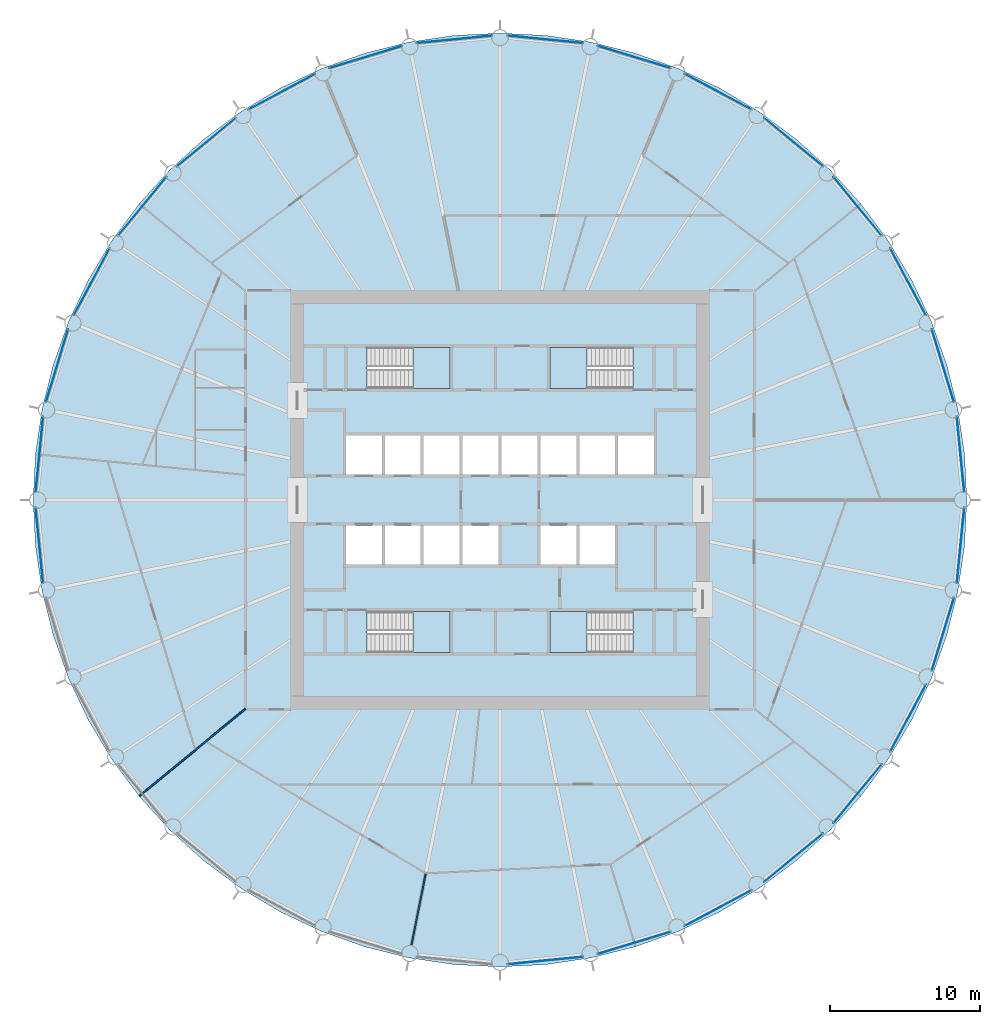
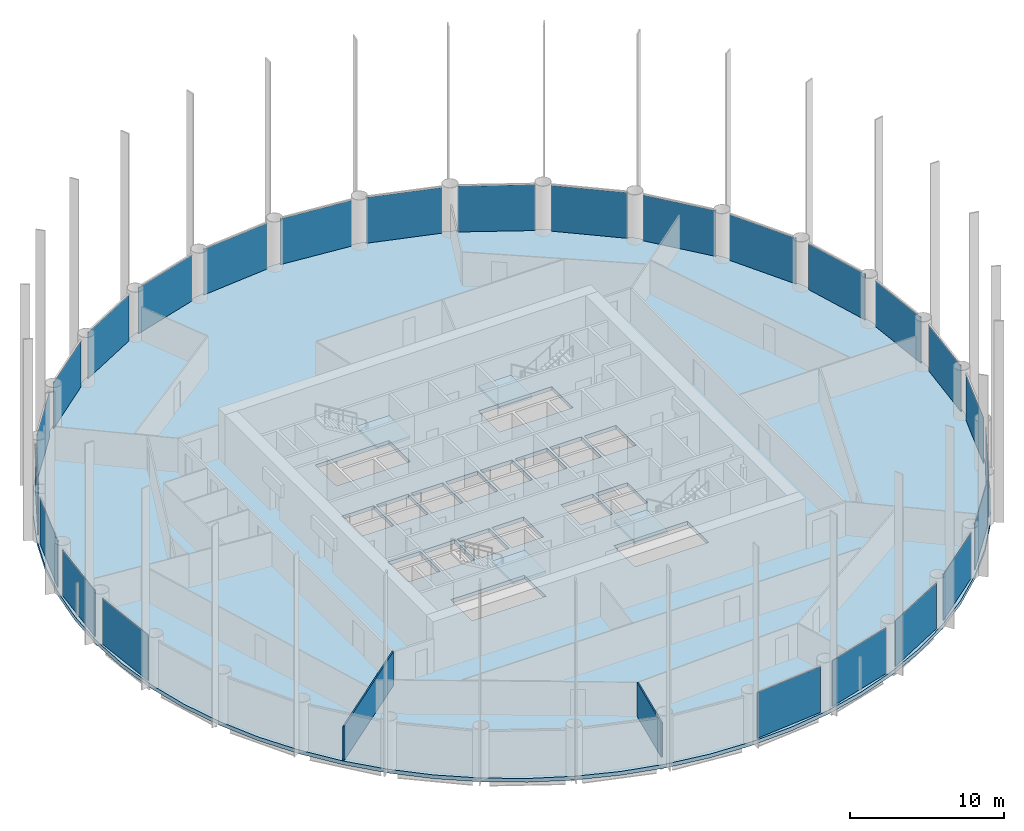
# One storey, part 3 of 9: 25 plates, 5 slabs, 2 walls, 29 elements without a shape of their own.
"""IFC4 building model written with IfcOpenShell, lengths in metres."""

from ifc_helpers import new_model, si_unit, direction, frame, frame_2d, origin, origin_2d, place, context, subcontext, project, spatial, polyline, rectangle, outline, extrude, material, layer, layer_set, type_object, element, aggregate, save


model = new_model("IFC4")

# Units and contexts
model_context = context("Model", 3, precision=1e-05, world=origin(), true_north=direction((0.0, 1.0)))
body_context = subcontext(model_context, "Body", "Model", "MODEL_VIEW")
ifc_project = project(units=[si_unit("LENGTHUNIT", "METRE"), si_unit("AREAUNIT", "SQUARE_METRE"), si_unit("VOLUMEUNIT", "CUBIC_METRE"), si_unit("PLANEANGLEUNIT", "RADIAN"), si_unit("MASSUNIT", "GRAM", prefix="KILO")], contexts=[model_context])

# Site, building, storey
site_placement = place(None, origin())
site = spatial("IfcSite", under=ifc_project, at=site_placement, CompositionType="ELEMENT")
building_placement = place(site_placement, origin())
building = spatial("IfcBuilding", under=site, at=building_placement, Name="Corvane Civic Tower", CompositionType="ELEMENT")
storey_placement = place(building_placement, frame((0.0, 0.0, 160.0)))
storey = spatial("IfcBuildingStorey", under=building, at=storey_placement, Name="L37", CompositionType="ELEMENT", Elevation=160.0)

# Slab
ifc_material_1 = material(Name="Concrete C40/50", Category="concrete")
ifc_layer_1 = layer(ifc_material_1, 0.300048828125)
ifc_layer_set_1 = layer_set([ifc_layer_1], Name="Concrete C40/50")
slab_type_1 = type_object("IfcSlabType", Name="FLOOR SLAB 300", PredefinedType="FLOOR", material=ifc_layer_set_1)
slab_1_placement = place(storey_placement, frame((0.0, 0.0, -0.300048828125)))
element("IfcSlab", 1, at=slab_1_placement, inside=storey, type_object=slab_type_1, Name="SLB-L37", PredefinedType="FLOOR", context=body_context, shape_type="SweptSolid", body=[
    extrude(outline(polyline([(0.0, 31.199951171875), (-3.05810546875, 31.0498046875), (-6.0869140625, 30.6005859375), (-9.056884765625, 29.8564453125), (-11.939697265625, 28.824951171875), (-14.70751953125, 27.515869140625), (-17.333740234375, 25.94189453125), (-19.79296875, 24.117919921875), (-22.061767578125, 22.061767578125), (-24.117919921875, 19.79296875), (-25.94189453125, 17.333740234375), (-27.515869140625, 14.70751953125), (-28.824951171875, 11.939697265625), (-29.8564453125, 9.056884765625), (-30.6005859375, 6.0869140625), (-31.0498046875, 3.05810546875), (-31.199951171875, 0.0), (-31.0498046875, -3.05810546875), (-30.6005859375, -6.0869140625), (-29.8564453125, -9.056884765625), (-28.824951171875, -11.939697265625), (-27.515869140625, -14.70751953125), (-25.94189453125, -17.333740234375), (-24.117919921875, -19.79296875), (-22.061767578125, -22.061767578125), (-19.79296875, -24.117919921875), (-17.333740234375, -25.94189453125), (-14.70751953125, -27.515869140625), (-11.939697265625, -28.824951171875), (-9.056884765625, -29.8564453125), (-6.0869140625, -30.6005859375), (-3.05810546875, -31.0498046875), (0.0, -31.199951171875), (3.05810546875, -31.0498046875), (6.0869140625, -30.6005859375), (9.056884765625, -29.8564453125), (11.939697265625, -28.824951171875), (14.70751953125, -27.515869140625), (17.333740234375, -25.94189453125), (19.79296875, -24.117919921875), (22.061767578125, -22.061767578125), (24.117919921875, -19.79296875), (25.94189453125, -17.333740234375), (27.515869140625, -14.70751953125), (28.824951171875, -11.939697265625), (29.8564453125, -9.056884765625), (30.6005859375, -6.0869140625), (31.0498046875, -3.05810546875), (31.199951171875, 0.0), (31.0498046875, 3.05810546875), (30.6005859375, 6.0869140625), (29.8564453125, 9.056884765625), (28.824951171875, 11.939697265625), (27.515869140625, 14.70751953125), (25.94189453125, 17.333740234375), (24.117919921875, 19.79296875), (22.061767578125, 22.061767578125), (19.79296875, 24.117919921875), (17.333740234375, 25.94189453125), (14.70751953125, 27.515869140625), (11.939697265625, 28.824951171875), (9.056884765625, 29.8564453125), (6.0869140625, 30.6005859375), (3.05810546875, 31.0498046875), (0.0, 31.199951171875)]), holes=[polyline([(-7.89990234375, 1.699951171875), (-10.300048828125, 1.699951171875), (-10.300048828125, 4.300048828125), (-7.89990234375, 4.300048828125), (-7.89990234375, 1.699951171875)]), polyline([(-7.699951171875, 4.300048828125), (-5.300048828125, 4.300048828125), (-5.300048828125, 1.699951171875), (-7.699951171875, 1.699951171875), (-7.699951171875, 4.300048828125)]), polyline([(-5.10009765625, 4.300048828125), (-2.699951171875, 4.300048828125), (-2.699951171875, 1.699951171875), (-5.10009765625, 1.699951171875), (-5.10009765625, 4.300048828125)]), polyline([(-2.5, 4.300048828125), (-0.10009765625, 4.300048828125), (-0.10009765625, 1.699951171875), (-2.5, 1.699951171875), (-2.5, 4.300048828125)]), polyline([(2.5, 1.699951171875), (0.10009765625, 1.699951171875), (0.10009765625, 4.300048828125), (2.5, 4.300048828125), (2.5, 1.699951171875)]), polyline([(5.10009765625, 1.699951171875), (2.699951171875, 1.699951171875), (2.699951171875, 4.300048828125), (5.10009765625, 4.300048828125), (5.10009765625, 1.699951171875)]), polyline([(5.300048828125, 4.300048828125), (7.699951171875, 4.300048828125), (7.699951171875, 1.699951171875), (5.300048828125, 1.699951171875), (5.300048828125, 4.300048828125)]), polyline([(7.89990234375, 4.300048828125), (10.300048828125, 4.300048828125), (10.300048828125, 1.699951171875), (7.89990234375, 1.699951171875), (7.89990234375, 4.300048828125)]), polyline([(-10.300048828125, -1.699951171875), (-7.89990234375, -1.699951171875), (-7.89990234375, -4.300048828125), (-10.300048828125, -4.300048828125), (-10.300048828125, -1.699951171875)]), polyline([(-7.699951171875, -1.699951171875), (-5.300048828125, -1.699951171875), (-5.300048828125, -4.300048828125), (-7.699951171875, -4.300048828125), (-7.699951171875, -1.699951171875)]), polyline([(-5.10009765625, -1.699951171875), (-2.699951171875, -1.699951171875), (-2.699951171875, -4.300048828125), (-5.10009765625, -4.300048828125), (-5.10009765625, -1.699951171875)]), polyline([(-2.5, -1.699951171875), (-0.10009765625, -1.699951171875), (-0.10009765625, -4.300048828125), (-2.5, -4.300048828125), (-2.5, -1.699951171875)]), polyline([(2.699951171875, -1.699951171875), (5.10009765625, -1.699951171875), (5.10009765625, -4.300048828125), (2.699951171875, -4.300048828125), (2.699951171875, -1.699951171875)]), polyline([(5.300048828125, -1.699951171875), (7.699951171875, -1.699951171875), (7.699951171875, -4.300048828125), (5.300048828125, -4.300048828125), (5.300048828125, -1.699951171875)]), polyline([(8.889892578125, 10.199951171875), (8.889892578125, 7.449951171875), (3.35009765625, 7.449951171875), (3.35009765625, 10.199951171875), (8.889892578125, 10.199951171875)]), polyline([(-8.889892578125, 7.449951171875), (-8.889892578125, 10.199951171875), (-3.35009765625, 10.199951171875), (-3.35009765625, 7.449951171875), (-8.889892578125, 7.449951171875)]), polyline([(8.889892578125, -7.449951171875), (8.889892578125, -10.199951171875), (3.35009765625, -10.199951171875), (3.35009765625, -7.449951171875), (8.889892578125, -7.449951171875)]), polyline([(-8.889892578125, -10.199951171875), (-8.889892578125, -7.449951171875), (-3.35009765625, -7.449951171875), (-3.35009765625, -10.199951171875), (-8.889892578125, -10.199951171875)])]), origin(), (0.0, 0.0, 1.0), 0.300048828125),
])

# Stair, slab
ifc_material_2 = material(Name="Concrete C40/50", Category="concrete")
stair_type = type_object("IfcStairType", Name="ST-STAIR-HALFTURN", PredefinedType="HALF_TURN_STAIR", material=ifc_material_2)
stair_1_placement = place(storey_placement, origin())
stair_1 = element("IfcStair", 2, at=stair_1_placement, inside=storey, type_object=stair_type, Name="L37 Exit stair ST1", PredefinedType="HALF_TURN_STAIR")
ifc_material_3 = material(Name="Concrete C40/50", Category="concrete")
ifc_layer_2 = layer(ifc_material_3, 0.199951171875)
ifc_layer_set_2 = layer_set([ifc_layer_2], Name="Concrete C40/50")
slab_type_2 = type_object("IfcSlabType", Name="ST-LANDING-RC", PredefinedType="LANDING", material=ifc_layer_set_2)
slab_2_placement = place(storey_placement, frame((0.0, 0.0, 1.800048828125)))
slab_2 = element("IfcSlab", 3, at=slab_2_placement, type_object=slab_type_2, Name="ST1 landing 1", PredefinedType="LANDING", context=body_context, shape_type="SweptSolid", body=[
    extrude(outline(polyline([(5.820068359375, 10.199951171875), (3.35009765625, 10.199951171875), (3.35009765625, 7.449951171875), (5.820068359375, 7.449951171875), (5.820068359375, 10.199951171875)])), origin(), (0.0, 0.0, 1.0), 0.199951171875),
])
aggregate(stair_1, [slab_2])

stair_2_placement = place(storey_placement, origin())
stair_2 = element("IfcStair", 4, at=stair_2_placement, inside=storey, type_object=stair_type, Name="L37 Exit stair ST2", PredefinedType="HALF_TURN_STAIR")
slab_3_placement = place(storey_placement, frame((0.0, 0.0, 1.800048828125)))
slab_3 = element("IfcSlab", 5, at=slab_3_placement, type_object=slab_type_2, Name="ST2 landing 1", PredefinedType="LANDING", context=body_context, shape_type="SweptSolid", body=[
    extrude(outline(polyline([(5.820068359375, -7.449951171875), (3.35009765625, -7.449951171875), (3.35009765625, -10.199951171875), (5.820068359375, -10.199951171875), (5.820068359375, -7.449951171875)])), origin(), (0.0, 0.0, 1.0), 0.199951171875),
])
aggregate(stair_2, [slab_3])

stair_3_placement = place(storey_placement, origin())
stair_3 = element("IfcStair", 6, at=stair_3_placement, inside=storey, type_object=stair_type, Name="L37 Exit stair ST3", PredefinedType="HALF_TURN_STAIR")
slab_4_placement = place(storey_placement, frame((0.0, 0.0, 1.800048828125)))
slab_4 = element("IfcSlab", 7, at=slab_4_placement, type_object=slab_type_2, Name="ST3 landing 1", PredefinedType="LANDING", context=body_context, shape_type="SweptSolid", body=[
    extrude(outline(polyline([(-5.820068359375, -10.199951171875), (-3.35009765625, -10.199951171875), (-3.35009765625, -7.449951171875), (-5.820068359375, -7.449951171875), (-5.820068359375, -10.199951171875)])), origin(), (0.0, 0.0, 1.0), 0.199951171875),
])
aggregate(stair_3, [slab_4])

stair_4_placement = place(storey_placement, origin())
stair_4 = element("IfcStair", 8, at=stair_4_placement, inside=storey, type_object=stair_type, Name="L37 Exit stair ST4", PredefinedType="HALF_TURN_STAIR")
slab_5_placement = place(storey_placement, frame((0.0, 0.0, 1.800048828125)))
slab_5 = element("IfcSlab", 9, at=slab_5_placement, type_object=slab_type_2, Name="ST4 landing 1", PredefinedType="LANDING", context=body_context, shape_type="SweptSolid", body=[
    extrude(outline(polyline([(-5.820068359375, 7.449951171875), (-3.35009765625, 7.449951171875), (-3.35009765625, 10.199951171875), (-5.820068359375, 10.199951171875), (-5.820068359375, 7.449951171875)])), origin(), (0.0, 0.0, 1.0), 0.199951171875),
])
aggregate(stair_4, [slab_5])

# Curtain wall, plate
ifc_material_4 = material(Name="Anodised aluminium bronze", Category="aluminium")
curtain_wall_type = type_object("IfcCurtainWallType", Name="TOWER CW-T2 STICK CURTAIN WALL", PredefinedType="NOTDEFINED", material=ifc_material_4)
curtain_wall_1_placement = place(storey_placement, origin())
curtain_wall_1 = element("IfcCurtainWall", 10, at=curtain_wall_1_placement, inside=storey, type_object=curtain_wall_type, Name="Curtain wall CW-T2 L37 bay 01", PredefinedType="NOTDEFINED")
ifc_material_5 = material(Name="Tinted glass", Category="glass")
ifc_layer_3 = layer(ifc_material_5, 0.031982421875)
ifc_layer_set_3 = layer_set([ifc_layer_3], Name="Tinted glass")
plate_type = type_object("IfcPlateType", Name="TOWER CW-T2 PANEL IGU32", PredefinedType="CURTAIN_PANEL", material=ifc_layer_set_3)
plate_1_placement = place(storey_placement, frame((3.03173828125, 30.781494140625, 0.0), z_axis=(0.0, 0.0, 1.0), x_axis=(0.995185244531, -0.098011882274, 0.0)))
plate_1 = element("IfcPlate", 11, at=plate_1_placement, type_object=plate_type, Name="Glass panel CW-T2 L37 01.1", PredefinedType="CURTAIN_PANEL", context=body_context, shape_type="SweptSolid", body=[
    extrude(rectangle(XDim=5.07763671875, YDim=0.031982421875, at=origin_2d()), origin(), (0.0, 0.0, 1.0), 3.6298828125),
])
aggregate(curtain_wall_1, [plate_1])

curtain_wall_2_placement = place(storey_placement, origin())
curtain_wall_2 = element("IfcCurtainWall", 12, at=curtain_wall_2_placement, inside=storey, type_object=curtain_wall_type, Name="Curtain wall CW-T2 L37 bay 02", PredefinedType="NOTDEFINED")
plate_2_placement = place(storey_placement, frame((8.978515625, 29.5986328125, 0.0), z_axis=(0.0, 0.0, 1.0), x_axis=(0.956931677007, -0.290313219714, 0.0)))
plate_2 = element("IfcPlate", 13, at=plate_2_placement, type_object=plate_type, Name="Glass panel CW-T2 L37 02.1", PredefinedType="CURTAIN_PANEL", context=body_context, shape_type="SweptSolid", body=[
    extrude(rectangle(XDim=5.077392578125, YDim=0.031982421875, at=origin_2d()), origin(), (0.0, 0.0, 1.0), 3.6298828125),
])
aggregate(curtain_wall_2, [plate_2])

curtain_wall_3_placement = place(storey_placement, origin())
curtain_wall_3 = element("IfcCurtainWall", 14, at=curtain_wall_3_placement, inside=storey, type_object=curtain_wall_type, Name="Curtain wall CW-T2 L37 bay 03", PredefinedType="NOTDEFINED")
plate_3_placement = place(storey_placement, frame((14.58056640625, 27.278076171875, 0.0), z_axis=(0.0, 0.0, 1.0), x_axis=(0.881922190434, -0.471395004238, 0.0)))
plate_3 = element("IfcPlate", 15, at=plate_3_placement, type_object=plate_type, Name="Glass panel CW-T2 L37 03.1", PredefinedType="CURTAIN_PANEL", context=body_context, shape_type="SweptSolid", body=[
    extrude(rectangle(XDim=5.077392578125, YDim=0.031982421875, at=origin_2d()), origin(), (0.0, 0.0, 1.0), 3.6298828125),
])
aggregate(curtain_wall_3, [plate_3])

curtain_wall_4_placement = place(storey_placement, origin())
curtain_wall_4 = element("IfcCurtainWall", 16, at=curtain_wall_4_placement, inside=storey, type_object=curtain_wall_type, Name="Curtain wall CW-T2 L37 bay 04", PredefinedType="NOTDEFINED")
plate_4_placement = place(storey_placement, frame((19.6220703125, 23.909423828125, 0.0), z_axis=(0.0, 0.0, 1.0), x_axis=(0.773004844196, -0.634400118891, 0.0)))
plate_4 = element("IfcPlate", 17, at=plate_4_placement, type_object=plate_type, Name="Glass panel CW-T2 L37 04.1", PredefinedType="CURTAIN_PANEL", context=body_context, shape_type="SweptSolid", body=[
    extrude(rectangle(XDim=5.0771484375, YDim=0.031982421875, at=origin_2d()), origin(), (0.0, 0.0, 1.0), 3.6298828125),
])
aggregate(curtain_wall_4, [plate_4])

curtain_wall_5_placement = place(storey_placement, origin())
curtain_wall_5 = element("IfcCurtainWall", 18, at=curtain_wall_5_placement, inside=storey, type_object=curtain_wall_type, Name="Curtain wall CW-T2 L37 bay 05", PredefinedType="NOTDEFINED")
plate_5_placement = place(storey_placement, frame((23.909423828125, 19.6220703125, 0.0), z_axis=(0.0, 0.0, 1.0), x_axis=(0.634400118891, -0.773004844196, 0.0)))
plate_5 = element("IfcPlate", 19, at=plate_5_placement, type_object=plate_type, Name="Glass panel CW-T2 L37 05.1", PredefinedType="CURTAIN_PANEL", context=body_context, shape_type="SweptSolid", body=[
    extrude(rectangle(XDim=5.0771484375, YDim=0.031982421875, at=origin_2d()), origin(), (0.0, 0.0, 1.0), 3.6298828125),
])
aggregate(curtain_wall_5, [plate_5])

curtain_wall_6_placement = place(storey_placement, origin())
curtain_wall_6 = element("IfcCurtainWall", 20, at=curtain_wall_6_placement, inside=storey, type_object=curtain_wall_type, Name="Curtain wall CW-T2 L37 bay 06", PredefinedType="NOTDEFINED")
plate_6_placement = place(storey_placement, frame((27.278076171875, 14.58056640625, 0.0), z_axis=(0.0, 0.0, 1.0), x_axis=(0.471395004238, -0.881922190434, 0.0)))
plate_6 = element("IfcPlate", 21, at=plate_6_placement, type_object=plate_type, Name="Glass panel CW-T2 L37 06.1", PredefinedType="CURTAIN_PANEL", context=body_context, shape_type="SweptSolid", body=[
    extrude(rectangle(XDim=5.077392578125, YDim=0.031982421875, at=origin_2d()), origin(), (0.0, 0.0, 1.0), 3.6298828125),
])
aggregate(curtain_wall_6, [plate_6])

curtain_wall_7_placement = place(storey_placement, origin())
curtain_wall_7 = element("IfcCurtainWall", 22, at=curtain_wall_7_placement, inside=storey, type_object=curtain_wall_type, Name="Curtain wall CW-T2 L37 bay 07", PredefinedType="NOTDEFINED")
plate_7_placement = place(storey_placement, frame((29.5986328125, 8.978515625, 0.0), z_axis=(0.0, 0.0, 1.0), x_axis=(0.290313219714, -0.956931677007, 0.0)))
plate_7 = element("IfcPlate", 23, at=plate_7_placement, type_object=plate_type, Name="Glass panel CW-T2 L37 07.1", PredefinedType="CURTAIN_PANEL", context=body_context, shape_type="SweptSolid", body=[
    extrude(rectangle(XDim=5.077392578125, YDim=0.031982421875, at=origin_2d()), origin(), (0.0, 0.0, 1.0), 3.6298828125),
])
aggregate(curtain_wall_7, [plate_7])

curtain_wall_8_placement = place(storey_placement, origin())
curtain_wall_8 = element("IfcCurtainWall", 24, at=curtain_wall_8_placement, inside=storey, type_object=curtain_wall_type, Name="Curtain wall CW-T2 L37 bay 08", PredefinedType="NOTDEFINED")
plate_8_placement = place(storey_placement, frame((30.781494140625, 3.03173828125, 0.0), z_axis=(0.0, 0.0, 1.0), x_axis=(0.098011882274, -0.995185244531, 0.0)))
plate_8 = element("IfcPlate", 25, at=plate_8_placement, type_object=plate_type, Name="Glass panel CW-T2 L37 08.1", PredefinedType="CURTAIN_PANEL", context=body_context, shape_type="SweptSolid", body=[
    extrude(rectangle(XDim=5.07763671875, YDim=0.031982421875, at=origin_2d()), origin(), (0.0, 0.0, 1.0), 3.6298828125),
])
aggregate(curtain_wall_8, [plate_8])

curtain_wall_9_placement = place(storey_placement, origin())
curtain_wall_9 = element("IfcCurtainWall", 26, at=curtain_wall_9_placement, inside=storey, type_object=curtain_wall_type, Name="Curtain wall CW-T2 L37 bay 09", PredefinedType="NOTDEFINED")
plate_9_placement = place(storey_placement, frame((30.781494140625, -3.03173828125, 0.0), z_axis=(0.0, 0.0, 1.0), x_axis=(-0.098011882274, -0.995185244531, 0.0)))
plate_9 = element("IfcPlate", 27, at=plate_9_placement, type_object=plate_type, Name="Glass panel CW-T2 L37 09.1", PredefinedType="CURTAIN_PANEL", context=body_context, shape_type="SweptSolid", body=[
    extrude(rectangle(XDim=5.07763671875, YDim=0.031982421875, at=origin_2d()), origin(), (0.0, 0.0, 1.0), 3.6298828125),
])
aggregate(curtain_wall_9, [plate_9])

curtain_wall_10_placement = place(storey_placement, origin())
curtain_wall_10 = element("IfcCurtainWall", 28, at=curtain_wall_10_placement, inside=storey, type_object=curtain_wall_type, Name="Curtain wall CW-T2 L37 bay 10", PredefinedType="NOTDEFINED")
plate_10_placement = place(storey_placement, frame((29.5986328125, -8.978515625, 0.0), z_axis=(0.0, 0.0, 1.0), x_axis=(-0.290313219714, -0.956931677007, 0.0)))
plate_10 = element("IfcPlate", 29, at=plate_10_placement, type_object=plate_type, Name="Glass panel CW-T2 L37 10.1", PredefinedType="CURTAIN_PANEL", context=body_context, shape_type="SweptSolid", body=[
    extrude(rectangle(XDim=5.077392578125, YDim=0.031982421875, at=origin_2d()), origin(), (0.0, 0.0, 1.0), 3.6298828125),
])
aggregate(curtain_wall_10, [plate_10])

curtain_wall_11_placement = place(storey_placement, origin())
curtain_wall_11 = element("IfcCurtainWall", 30, at=curtain_wall_11_placement, inside=storey, type_object=curtain_wall_type, Name="Curtain wall CW-T2 L37 bay 11", PredefinedType="NOTDEFINED")
plate_11_placement = place(storey_placement, frame((27.278076171875, -14.58056640625, 0.0), z_axis=(0.0, 0.0, 1.0), x_axis=(-0.471395004238, -0.881922190434, 0.0)))
plate_11 = element("IfcPlate", 31, at=plate_11_placement, type_object=plate_type, Name="Glass panel CW-T2 L37 11.1", PredefinedType="CURTAIN_PANEL", context=body_context, shape_type="SweptSolid", body=[
    extrude(rectangle(XDim=5.077392578125, YDim=0.031982421875, at=origin_2d()), origin(), (0.0, 0.0, 1.0), 3.6298828125),
])
aggregate(curtain_wall_11, [plate_11])

curtain_wall_12_placement = place(storey_placement, origin())
curtain_wall_12 = element("IfcCurtainWall", 32, at=curtain_wall_12_placement, inside=storey, type_object=curtain_wall_type, Name="Curtain wall CW-T2 L37 bay 12", PredefinedType="NOTDEFINED")
plate_12_placement = place(storey_placement, frame((23.909423828125, -19.6220703125, 0.0), z_axis=(0.0, 0.0, 1.0), x_axis=(-0.634400118891, -0.773004844196, 0.0)))
plate_12 = element("IfcPlate", 33, at=plate_12_placement, type_object=plate_type, Name="Glass panel CW-T2 L37 12.1", PredefinedType="CURTAIN_PANEL", context=body_context, shape_type="SweptSolid", body=[
    extrude(rectangle(XDim=5.0771484375, YDim=0.031982421875, at=origin_2d()), origin(), (0.0, 0.0, 1.0), 3.6298828125),
])
aggregate(curtain_wall_12, [plate_12])

curtain_wall_13_placement = place(storey_placement, origin())
curtain_wall_13 = element("IfcCurtainWall", 34, at=curtain_wall_13_placement, inside=storey, type_object=curtain_wall_type, Name="Curtain wall CW-T2 L37 bay 13", PredefinedType="NOTDEFINED")
plate_13_placement = place(storey_placement, frame((19.6220703125, -23.909423828125, 0.0), z_axis=(0.0, 0.0, 1.0), x_axis=(-0.773004844196, -0.634400118891, 0.0)))
plate_13 = element("IfcPlate", 35, at=plate_13_placement, type_object=plate_type, Name="Glass panel CW-T2 L37 13.1", PredefinedType="CURTAIN_PANEL", context=body_context, shape_type="SweptSolid", body=[
    extrude(rectangle(XDim=5.0771484375, YDim=0.031982421875, at=origin_2d()), origin(), (0.0, 0.0, 1.0), 3.6298828125),
])
aggregate(curtain_wall_13, [plate_13])

curtain_wall_14_placement = place(storey_placement, origin())
curtain_wall_14 = element("IfcCurtainWall", 36, at=curtain_wall_14_placement, inside=storey, type_object=curtain_wall_type, Name="Curtain wall CW-T2 L37 bay 14", PredefinedType="NOTDEFINED")
plate_14_placement = place(storey_placement, frame((14.58056640625, -27.278076171875, 0.0), z_axis=(0.0, 0.0, 1.0), x_axis=(-0.881922190434, -0.471395004238, 0.0)))
plate_14 = element("IfcPlate", 37, at=plate_14_placement, type_object=plate_type, Name="Glass panel CW-T2 L37 14.1", PredefinedType="CURTAIN_PANEL", context=body_context, shape_type="SweptSolid", body=[
    extrude(rectangle(XDim=5.077392578125, YDim=0.031982421875, at=origin_2d()), origin(), (0.0, 0.0, 1.0), 3.6298828125),
])
aggregate(curtain_wall_14, [plate_14])

curtain_wall_15_placement = place(storey_placement, origin())
curtain_wall_15 = element("IfcCurtainWall", 38, at=curtain_wall_15_placement, inside=storey, type_object=curtain_wall_type, Name="Curtain wall CW-T2 L37 bay 15", PredefinedType="NOTDEFINED")
plate_15_placement = place(storey_placement, frame((8.978515625, -29.5986328125, 0.0), z_axis=(0.0, 0.0, 1.0), x_axis=(-0.956931677007, -0.290313219714, 0.0)))
plate_15 = element("IfcPlate", 39, at=plate_15_placement, type_object=plate_type, Name="Glass panel CW-T2 L37 15.1", PredefinedType="CURTAIN_PANEL", context=body_context, shape_type="SweptSolid", body=[
    extrude(rectangle(XDim=5.077392578125, YDim=0.031982421875, at=origin_2d()), origin(), (0.0, 0.0, 1.0), 3.6298828125),
])
aggregate(curtain_wall_15, [plate_15])

curtain_wall_16_placement = place(storey_placement, origin())
curtain_wall_16 = element("IfcCurtainWall", 40, at=curtain_wall_16_placement, inside=storey, type_object=curtain_wall_type, Name="Curtain wall CW-T2 L37 bay 16", PredefinedType="NOTDEFINED")
plate_16_placement = place(storey_placement, frame((3.03173828125, -30.781494140625, 0.0), z_axis=(0.0, 0.0, 1.0), x_axis=(-0.995185244531, -0.098011882274, 0.0)))
plate_16 = element("IfcPlate", 41, at=plate_16_placement, type_object=plate_type, Name="Glass panel CW-T2 L37 16.1", PredefinedType="CURTAIN_PANEL", context=body_context, shape_type="SweptSolid", body=[
    extrude(rectangle(XDim=5.07763671875, YDim=0.031982421875, at=origin_2d()), origin(), (0.0, 0.0, 1.0), 3.6298828125),
])
aggregate(curtain_wall_16, [plate_16])

curtain_wall_17_placement = place(storey_placement, origin())
curtain_wall_17 = element("IfcCurtainWall", 42, at=curtain_wall_17_placement, inside=storey, type_object=curtain_wall_type, Name="Curtain wall CW-T2 L37 bay 24", PredefinedType="NOTDEFINED")
plate_17_placement = place(storey_placement, frame((-30.781494140625, -3.03173828125, 0.0), z_axis=(0.0, 0.0, 1.0), x_axis=(-0.098011882274, 0.995185244531, 0.0)))
plate_17 = element("IfcPlate", 43, at=plate_17_placement, type_object=plate_type, Name="Glass panel CW-T2 L37 24.1", PredefinedType="CURTAIN_PANEL", context=body_context, shape_type="SweptSolid", body=[
    extrude(rectangle(XDim=5.07763671875, YDim=0.031982421875, at=origin_2d()), origin(), (0.0, 0.0, 1.0), 3.6298828125),
])
aggregate(curtain_wall_17, [plate_17])

curtain_wall_18_placement = place(storey_placement, origin())
curtain_wall_18 = element("IfcCurtainWall", 44, at=curtain_wall_18_placement, inside=storey, type_object=curtain_wall_type, Name="Curtain wall CW-T2 L37 bay 25", PredefinedType="NOTDEFINED")
plate_18_placement = place(storey_placement, frame((-30.781494140625, 3.03173828125, 0.0), z_axis=(0.0, 0.0, 1.0), x_axis=(0.098011882274, 0.995185244531, 0.0)))
plate_18 = element("IfcPlate", 45, at=plate_18_placement, type_object=plate_type, Name="Glass panel CW-T2 L37 25.1", PredefinedType="CURTAIN_PANEL", context=body_context, shape_type="SweptSolid", body=[
    extrude(rectangle(XDim=5.07763671875, YDim=0.031982421875, at=origin_2d()), origin(), (0.0, 0.0, 1.0), 3.6298828125),
])
aggregate(curtain_wall_18, [plate_18])

curtain_wall_19_placement = place(storey_placement, origin())
curtain_wall_19 = element("IfcCurtainWall", 46, at=curtain_wall_19_placement, inside=storey, type_object=curtain_wall_type, Name="Curtain wall CW-T2 L37 bay 26", PredefinedType="NOTDEFINED")
plate_19_placement = place(storey_placement, frame((-29.5986328125, 8.978515625, 0.0), z_axis=(0.0, 0.0, 1.0), x_axis=(0.290313219714, 0.956931677007, 0.0)))
plate_19 = element("IfcPlate", 47, at=plate_19_placement, type_object=plate_type, Name="Glass panel CW-T2 L37 26.1", PredefinedType="CURTAIN_PANEL", context=body_context, shape_type="SweptSolid", body=[
    extrude(rectangle(XDim=5.077392578125, YDim=0.031982421875, at=origin_2d()), origin(), (0.0, 0.0, 1.0), 3.6298828125),
])
aggregate(curtain_wall_19, [plate_19])

curtain_wall_20_placement = place(storey_placement, origin())
curtain_wall_20 = element("IfcCurtainWall", 48, at=curtain_wall_20_placement, inside=storey, type_object=curtain_wall_type, Name="Curtain wall CW-T2 L37 bay 27", PredefinedType="NOTDEFINED")
plate_20_placement = place(storey_placement, frame((-27.278076171875, 14.58056640625, 0.0), z_axis=(0.0, 0.0, 1.0), x_axis=(0.471395004238, 0.881922190434, 0.0)))
plate_20 = element("IfcPlate", 49, at=plate_20_placement, type_object=plate_type, Name="Glass panel CW-T2 L37 27.1", PredefinedType="CURTAIN_PANEL", context=body_context, shape_type="SweptSolid", body=[
    extrude(rectangle(XDim=5.077392578125, YDim=0.031982421875, at=origin_2d()), origin(), (0.0, 0.0, 1.0), 3.6298828125),
])
aggregate(curtain_wall_20, [plate_20])

curtain_wall_21_placement = place(storey_placement, origin())
curtain_wall_21 = element("IfcCurtainWall", 50, at=curtain_wall_21_placement, inside=storey, type_object=curtain_wall_type, Name="Curtain wall CW-T2 L37 bay 28", PredefinedType="NOTDEFINED")
plate_21_placement = place(storey_placement, frame((-23.909423828125, 19.6220703125, 0.0), z_axis=(0.0, 0.0, 1.0), x_axis=(0.634400118891, 0.773004844196, 0.0)))
plate_21 = element("IfcPlate", 51, at=plate_21_placement, type_object=plate_type, Name="Glass panel CW-T2 L37 28.1", PredefinedType="CURTAIN_PANEL", context=body_context, shape_type="SweptSolid", body=[
    extrude(rectangle(XDim=5.0771484375, YDim=0.031982421875, at=origin_2d()), origin(), (0.0, 0.0, 1.0), 3.6298828125),
])
aggregate(curtain_wall_21, [plate_21])

curtain_wall_22_placement = place(storey_placement, origin())
curtain_wall_22 = element("IfcCurtainWall", 52, at=curtain_wall_22_placement, inside=storey, type_object=curtain_wall_type, Name="Curtain wall CW-T2 L37 bay 29", PredefinedType="NOTDEFINED")
plate_22_placement = place(storey_placement, frame((-19.6220703125, 23.909423828125, 0.0), z_axis=(0.0, 0.0, 1.0), x_axis=(0.773004844196, 0.634400118891, 0.0)))
plate_22 = element("IfcPlate", 53, at=plate_22_placement, type_object=plate_type, Name="Glass panel CW-T2 L37 29.1", PredefinedType="CURTAIN_PANEL", context=body_context, shape_type="SweptSolid", body=[
    extrude(rectangle(XDim=5.0771484375, YDim=0.031982421875, at=origin_2d()), origin(), (0.0, 0.0, 1.0), 3.6298828125),
])
aggregate(curtain_wall_22, [plate_22])

curtain_wall_23_placement = place(storey_placement, origin())
curtain_wall_23 = element("IfcCurtainWall", 54, at=curtain_wall_23_placement, inside=storey, type_object=curtain_wall_type, Name="Curtain wall CW-T2 L37 bay 30", PredefinedType="NOTDEFINED")
plate_23_placement = place(storey_placement, frame((-14.58056640625, 27.278076171875, 0.0), z_axis=(0.0, 0.0, 1.0), x_axis=(0.881922190434, 0.471395004238, 0.0)))
plate_23 = element("IfcPlate", 55, at=plate_23_placement, type_object=plate_type, Name="Glass panel CW-T2 L37 30.1", PredefinedType="CURTAIN_PANEL", context=body_context, shape_type="SweptSolid", body=[
    extrude(rectangle(XDim=5.077392578125, YDim=0.031982421875, at=origin_2d()), origin(), (0.0, 0.0, 1.0), 3.6298828125),
])
aggregate(curtain_wall_23, [plate_23])

curtain_wall_24_placement = place(storey_placement, origin())
curtain_wall_24 = element("IfcCurtainWall", 56, at=curtain_wall_24_placement, inside=storey, type_object=curtain_wall_type, Name="Curtain wall CW-T2 L37 bay 31", PredefinedType="NOTDEFINED")
plate_24_placement = place(storey_placement, frame((-8.978515625, 29.5986328125, 0.0), z_axis=(0.0, 0.0, 1.0), x_axis=(0.956931677007, 0.290313219714, 0.0)))
plate_24 = element("IfcPlate", 57, at=plate_24_placement, type_object=plate_type, Name="Glass panel CW-T2 L37 31.1", PredefinedType="CURTAIN_PANEL", context=body_context, shape_type="SweptSolid", body=[
    extrude(rectangle(XDim=5.077392578125, YDim=0.031982421875, at=origin_2d()), origin(), (0.0, 0.0, 1.0), 3.6298828125),
])
aggregate(curtain_wall_24, [plate_24])

curtain_wall_25_placement = place(storey_placement, origin())
curtain_wall_25 = element("IfcCurtainWall", 58, at=curtain_wall_25_placement, inside=storey, type_object=curtain_wall_type, Name="Curtain wall CW-T2 L37 bay 32", PredefinedType="NOTDEFINED")
plate_25_placement = place(storey_placement, frame((-3.03173828125, 30.781494140625, 0.0), z_axis=(0.0, 0.0, 1.0), x_axis=(0.995185244531, 0.098011882274, 0.0)))
plate_25 = element("IfcPlate", 59, at=plate_25_placement, type_object=plate_type, Name="Glass panel CW-T2 L37 32.1", PredefinedType="CURTAIN_PANEL", context=body_context, shape_type="SweptSolid", body=[
    extrude(rectangle(XDim=5.07763671875, YDim=0.031982421875, at=origin_2d()), origin(), (0.0, 0.0, 1.0), 3.6298828125),
])
aggregate(curtain_wall_25, [plate_25])

# Walls
ifc_material_6 = material(Name="Plasterboard")
ifc_layer_4 = layer(ifc_material_6, 0.10009765625)
ifc_layer_set_4 = layer_set([ifc_layer_4], Name="Plasterboard")
wall_type = type_object("IfcWallType", Name="Partition 100 plasterboard on studs", PredefinedType="PARTITIONING", material=ifc_layer_set_4)
wall_1_placement = place(storey_placement, frame((-5.9189453125, -29.7568359375, 0.0), z_axis=(0.0, 0.0, 1.0), x_axis=(0.195062476568, 0.980790818796, 0.0)))
element("IfcWall", 60, at=wall_1_placement, inside=storey, type_object=wall_type, Name="Partition L37.002", PredefinedType="PARTITIONING", context=body_context, shape_type="SweptSolid", body=[
    extrude(rectangle(XDim=4.857421875, YDim=0.10009765625, at=frame_2d((2.4287109375, 0.0))), origin(), (0.0, 0.0, 1.0), 2.699951171875),
])
wall_2_placement = place(storey_placement, frame((-24.079345703125, -19.761474609375, 0.0), z_axis=(0.0, 0.0, 1.0), x_axis=(0.773006154143, 0.634398522742, 0.0)))
element("IfcWall", 61, at=wall_2_placement, inside=storey, type_object=wall_type, Name="Partition L37.006", PredefinedType="PARTITIONING", context=body_context, shape_type="SweptSolid", body=[
    extrude(rectangle(XDim=9.134521484375, YDim=0.10009765625, at=frame_2d((4.5673828125, 0.0))), origin(), (0.0, 0.0, 1.0), 2.699951171875),
])

save(model, "model.ifc")
